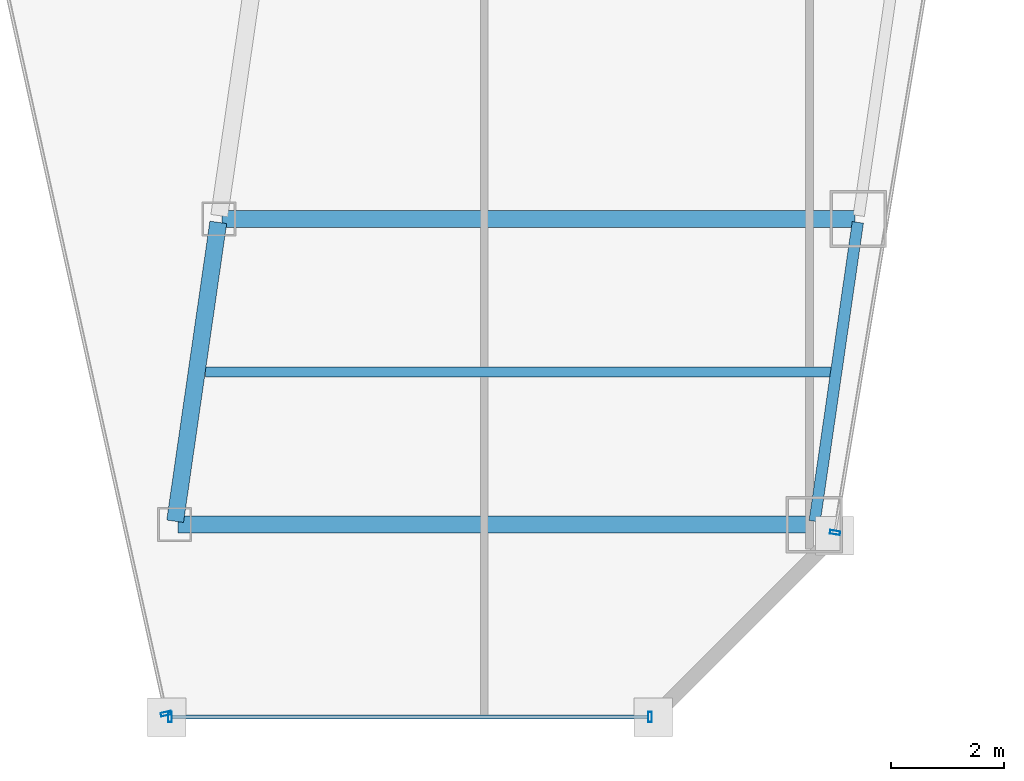
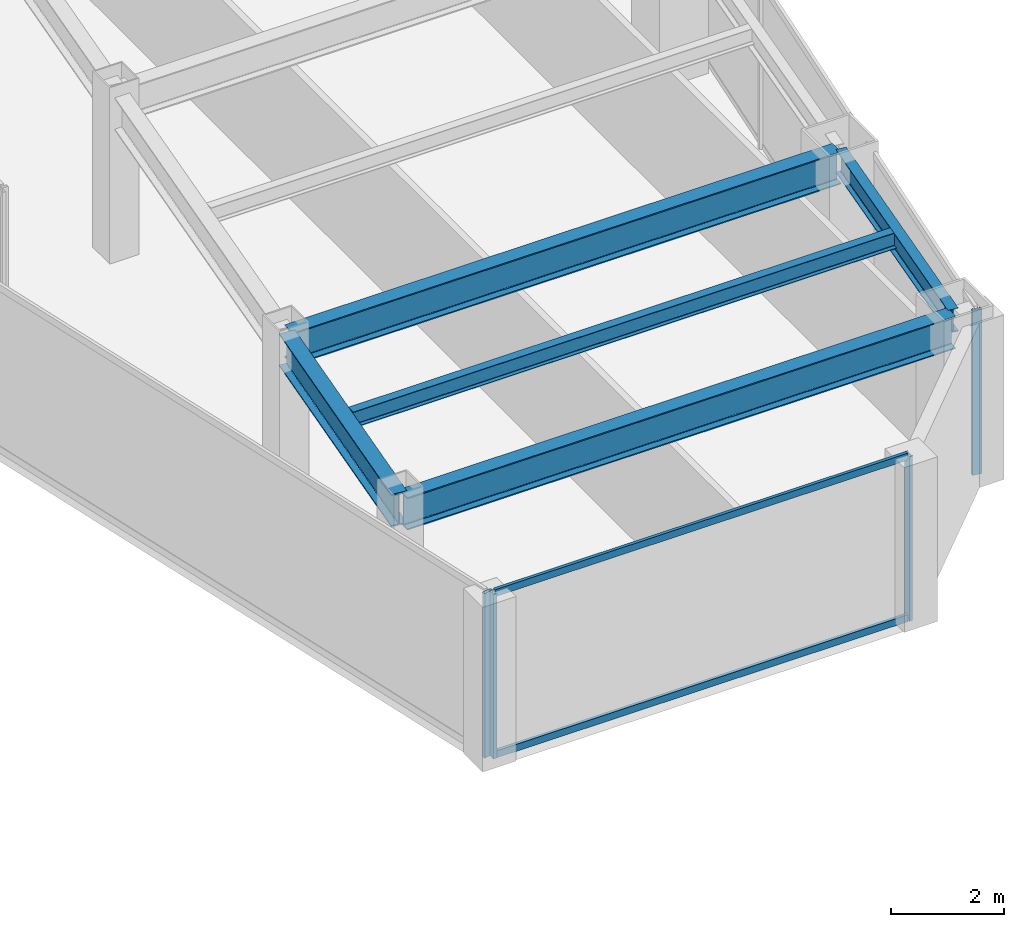
# One storey, part 14 of 36: 6 members, 5 beams, 3 elements without a shape of their own.
"""IFC4 building model written with IfcOpenShell, lengths in metres."""

from ifc_helpers import new_model, si_unit, direction, frame, origin, origin_2d, place, context, subcontext, project, spatial, hollow_rectangle, i_section, extrude, material, material_profile, profile_set, type_object, element, aggregate, save


model = new_model("IFC4")

# Units and contexts
model_context = context("Model", 3, precision=1e-05, world=origin(), true_north=direction((0.0, 1.0)))
body_context = subcontext(model_context, "Body", "Model", "MODEL_VIEW")
ifc_project = project(units=[si_unit("LENGTHUNIT", "METRE"), si_unit("AREAUNIT", "SQUARE_METRE"), si_unit("VOLUMEUNIT", "CUBIC_METRE"), si_unit("PLANEANGLEUNIT", "RADIAN"), si_unit("MASSUNIT", "GRAM", prefix="KILO")], contexts=[model_context])

# Site, building, storey
site_placement = place(None, origin())
site = spatial("IfcSite", under=ifc_project, at=site_placement, CompositionType="ELEMENT")
building_placement = place(site_placement, origin())
building = spatial("IfcBuilding", under=site, at=building_placement, Name="Saevonmaru Cultural Tower", CompositionType="ELEMENT")
storey_placement = place(building_placement, frame((0.0, 0.0, 156.199951171875)))
storey = spatial("IfcBuildingStorey", under=building, at=storey_placement, Name="L34", CompositionType="ELEMENT", Elevation=156.199951171875)

# Beams
ifc_material_1 = material(Name="Steel SM355", Category="steel")
ifc_material_profile_1 = material_profile(ifc_material_1, i_section(OverallWidth=0.300048828125, OverallDepth=0.699951171875, WebThickness=0.012939453125, FlangeThickness=0.02392578125, FilletRadius=0.02587890625, at=origin_2d()), Name="H-700x300x13x24")
ifc_profile_set_1 = profile_set([ifc_material_profile_1], Name="Steel SM355")
beam_type_1 = type_object("IfcBeamType", Name="BM-G-H700", PredefinedType="BEAM", material=ifc_profile_set_1)
beam_1_placement = place(storey_placement, frame((37.300537109375, 10.659423828125, 3.199951171875), z_axis=(0.142977693794, 0.989725911087, 0.0), x_axis=(-0.989725911087, 0.142977693794, 0.0)))
element("IfcBeam", 1, at=beam_1_placement, inside=storey, type_object=beam_type_1, Name="L34 East Atrium Girder 1", PredefinedType="BEAM", context=body_context, shape_type="SweptSolid", body=[
    extrude(i_section(OverallWidth=0.300048828125, OverallDepth=0.699951171875, WebThickness=0.012939453125, FlangeThickness=0.02392578125, FilletRadius=0.02587890625, at=origin_2d()), origin(), (0.0, 0.0, 1.0), 5.336181640625),
])
for number, where, z_axis, x_axis, name in (
    (2, (37.35205078125, 10.60009765625, 3.199951171875), (1.0, 0.0, 0.0), (0.0, 1.0, 0.0), "L34 East Wing Transverse Girder 1"),
    (3, (38.132080078125, 16.0, 3.199951171875), (1.0, 0.0, 0.0), (0.0, 1.0, 0.0), "L34 East Wing Transverse Girder 2"),
):
    element("IfcBeam", number, at=place(storey_placement, frame(where, z_axis=z_axis, x_axis=x_axis)), inside=storey, type_object=beam_type_1, Name=name, PredefinedType="BEAM", context=body_context, shape_type="SweptSolid", body=[
        extrude(i_section(OverallWidth=0.300048828125, OverallDepth=0.699951171875, WebThickness=0.012939453125, FlangeThickness=0.02392578125, FilletRadius=0.02587890625, at=origin_2d()), origin(), (0.0, 0.0, 1.0), 11.179931640625),
    ])
ifc_material_profile_2 = material_profile(ifc_material_1, i_section(OverallWidth=0.175048828125, OverallDepth=0.35009765625, WebThickness=0.007080078125, FlangeThickness=0.010986328125, FilletRadius=0.012939453125, at=origin_2d()), Name="H-350x175x7x11")
ifc_profile_set_2 = profile_set([ifc_material_profile_2], Name="Steel SM355")
beam_type_2 = type_object("IfcBeamType", Name="BM-J-H350", PredefinedType="JOIST", material=ifc_profile_set_2)
beam_2_placement = place(storey_placement, frame((37.840087890625, 13.300048828125, 3.375), z_axis=(1.0, 0.0, 0.0), x_axis=(0.0, 1.0, 0.0)))
element("IfcBeam", 4, at=beam_2_placement, inside=storey, type_object=beam_type_2, Name="L34 East Wing Floor Joist 1", PredefinedType="JOIST", context=body_context, shape_type="SweptSolid", body=[
    extrude(i_section(OverallWidth=0.175048828125, OverallDepth=0.35009765625, WebThickness=0.007080078125, FlangeThickness=0.010986328125, FilletRadius=0.012939453125, at=origin_2d()), origin(), (0.0, 0.0, 1.0), 11.08203125),
])
ifc_material_profile_3 = material_profile(ifc_material_1, i_section(OverallWidth=0.199951171875, OverallDepth=0.5, WebThickness=0.010009765625, FlangeThickness=0.01611328125, FilletRadius=0.02001953125, at=origin_2d()), Name="H-500x200x10x16")
ifc_profile_set_3 = profile_set([ifc_material_profile_3], Name="Steel SM355")
beam_type_3 = type_object("IfcBeamType", Name="BM-SP-H500", PredefinedType="SPANDREL", material=ifc_profile_set_3)
beam_3_placement = place(storey_placement, frame((48.6005859375, 10.659423828125, 3.300048828125), z_axis=(0.1429328758, 0.989732384544, 0.0), x_axis=(-0.989732384544, 0.1429328758, 0.0)))
element("IfcBeam", 5, at=beam_3_placement, inside=storey, type_object=beam_type_3, Name="L34 East Splayed Spandrel 1", PredefinedType="SPANDREL", context=body_context, shape_type="SweptSolid", body=[
    extrude(i_section(OverallWidth=0.199951171875, OverallDepth=0.5, WebThickness=0.010009765625, FlangeThickness=0.01611328125, FilletRadius=0.02001953125, at=origin_2d()), origin(), (0.0, 0.0, 1.0), 5.3359375),
])

# Curtain wall, member
ifc_material_2 = material(Name="Satin Bronze Anodised Aluminium", Category="aluminium")
curtain_wall_type = type_object("IfcCurtainWallType", Name="CW-TYP-A", PredefinedType="NOTDEFINED", material=ifc_material_2)
curtain_wall_1_placement = place(storey_placement, origin())
curtain_wall_1 = element("IfcCurtainWall", 6, at=curtain_wall_1_placement, inside=storey, type_object=curtain_wall_type, Name="L34 Unitised Curtain Wall E5", PredefinedType="NOTDEFINED")
ifc_material_profile_4 = material_profile(ifc_material_2, hollow_rectangle(XDim=0.06494140625, YDim=0.179931640625, WallThickness=0.00390625, at=origin_2d()), Name="ALU-MULL-180x65x4")
ifc_profile_set_4 = profile_set([ifc_material_profile_4], Name="Satin Bronze Anodised Aluminium")
member_type_1 = type_object("IfcMemberType", Name="ML-CW-180x65", PredefinedType="MULLION", material=ifc_profile_set_4)
member_1_placement = place(storey_placement, frame((37.13818359375, 7.258544921875, 0.0), z_axis=(0.0, 0.0, 1.0), x_axis=(0.215413319953, -0.976522965212, 0.0)))
member_1 = element("IfcMember", 7, at=member_1_placement, type_object=member_type_1, Name="CW-TW-L34-E5 mullion 2", PredefinedType="MULLION", context=body_context, shape_type="SweptSolid", body=[
    extrude(hollow_rectangle(XDim=0.06494140625, YDim=0.179931640625, WallThickness=0.00390625, at=origin_2d()), origin(), (0.0, 0.0, 1.0), 3.550048828125),
])
aggregate(curtain_wall_1, [member_1])

# Curtain wall, members
curtain_wall_2_placement = place(storey_placement, origin())
curtain_wall_2 = element("IfcCurtainWall", 8, at=curtain_wall_2_placement, inside=storey, type_object=curtain_wall_type, Name="L34 Unitised Curtain Wall E6", PredefinedType="NOTDEFINED")
member_2_placement = place(storey_placement, frame((37.211181640625, 7.199951171875, 0.0), z_axis=(0.0, 0.0, 1.0), x_axis=(1.0, 0.0, 0.0)))
member_2 = element("IfcMember", 9, at=member_2_placement, type_object=member_type_1, Name="CW-TW-L34-E6 mullion 1", PredefinedType="MULLION", context=body_context, shape_type="SweptSolid", body=[
    extrude(hollow_rectangle(XDim=0.06494140625, YDim=0.179931640625, WallThickness=0.00390625, at=origin_2d()), origin(), (0.0, 0.0, 1.0), 3.550048828125),
])
member_3_placement = place(storey_placement, frame((45.691162109375, 7.199951171875, 0.0), z_axis=(0.0, 0.0, 1.0), x_axis=(1.0, 0.0, 0.0)))
member_3 = element("IfcMember", 10, at=member_3_placement, type_object=member_type_1, Name="CW-TW-L34-E6 mullion 2", PredefinedType="MULLION", context=body_context, shape_type="SweptSolid", body=[
    extrude(hollow_rectangle(XDim=0.06494140625, YDim=0.179931640625, WallThickness=0.00390625, at=origin_2d()), origin(), (0.0, 0.0, 1.0), 3.550048828125),
])

# Curtain wall, member
curtain_wall_3_placement = place(storey_placement, origin())
curtain_wall_3 = element("IfcCurtainWall", 11, at=curtain_wall_3_placement, inside=storey, type_object=curtain_wall_type, Name="L34 Unitised Curtain Wall E8", PredefinedType="NOTDEFINED")
member_4_placement = place(storey_placement, frame((48.9609375, 10.459228515625, 0.0), z_axis=(0.0, 0.0, 1.0), x_axis=(0.163998702345, 0.986460554523, 0.0)))
member_4 = element("IfcMember", 12, at=member_4_placement, type_object=member_type_1, Name="CW-TW-L34-E8 mullion 1", PredefinedType="MULLION", context=body_context, shape_type="SweptSolid", body=[
    extrude(hollow_rectangle(XDim=0.06494140625, YDim=0.179931640625, WallThickness=0.00390625, at=origin_2d()), origin(), (0.0, 0.0, 1.0), 3.550048828125),
])
aggregate(curtain_wall_3, [member_4])

# Member
ifc_material_profile_5 = material_profile(ifc_material_2, hollow_rectangle(XDim=0.06494140625, YDim=0.14990234375, WallThickness=0.00390625, at=origin_2d()), Name="ALU-TRAN-150x65x4")
ifc_profile_set_5 = profile_set([ifc_material_profile_5], Name="Satin Bronze Anodised Aluminium")
member_type_2 = type_object("IfcMemberType", Name="TR-CW-150x65", PredefinedType="USERDEFINED", material=ifc_profile_set_5)
member_5_placement = place(storey_placement, frame((37.24365234375, 7.199951171875, 0.032470703125), z_axis=(1.0, 0.0, 0.0), x_axis=(0.0, 1.0, 0.0)))
member_5 = element("IfcMember", 13, at=member_5_placement, type_object=member_type_2, Name="CW-TW-L34-E6 transom 1.1", ObjectType="TRANSOM", PredefinedType="USERDEFINED", context=body_context, shape_type="SweptSolid", body=[
    extrude(hollow_rectangle(XDim=0.06494140625, YDim=0.14990234375, WallThickness=0.00390625, at=origin_2d()), origin(), (0.0, 0.0, 1.0), 8.4150390625),
])

member_6_placement = place(storey_placement, frame((37.24365234375, 7.199951171875, 3.517578125), z_axis=(1.0, 0.0, 0.0), x_axis=(0.0, 1.0, 0.0)))
member_6 = element("IfcMember", 14, at=member_6_placement, type_object=member_type_2, Name="CW-TW-L34-E6 transom 1.2", ObjectType="TRANSOM", PredefinedType="USERDEFINED", context=body_context, shape_type="SweptSolid", body=[
    extrude(hollow_rectangle(XDim=0.06494140625, YDim=0.14990234375, WallThickness=0.00390625, at=origin_2d()), origin(), (0.0, 0.0, 1.0), 8.4150390625),
])

aggregate(curtain_wall_2, [member_2, member_3, member_5, member_6])

save(model, "model.ifc")
